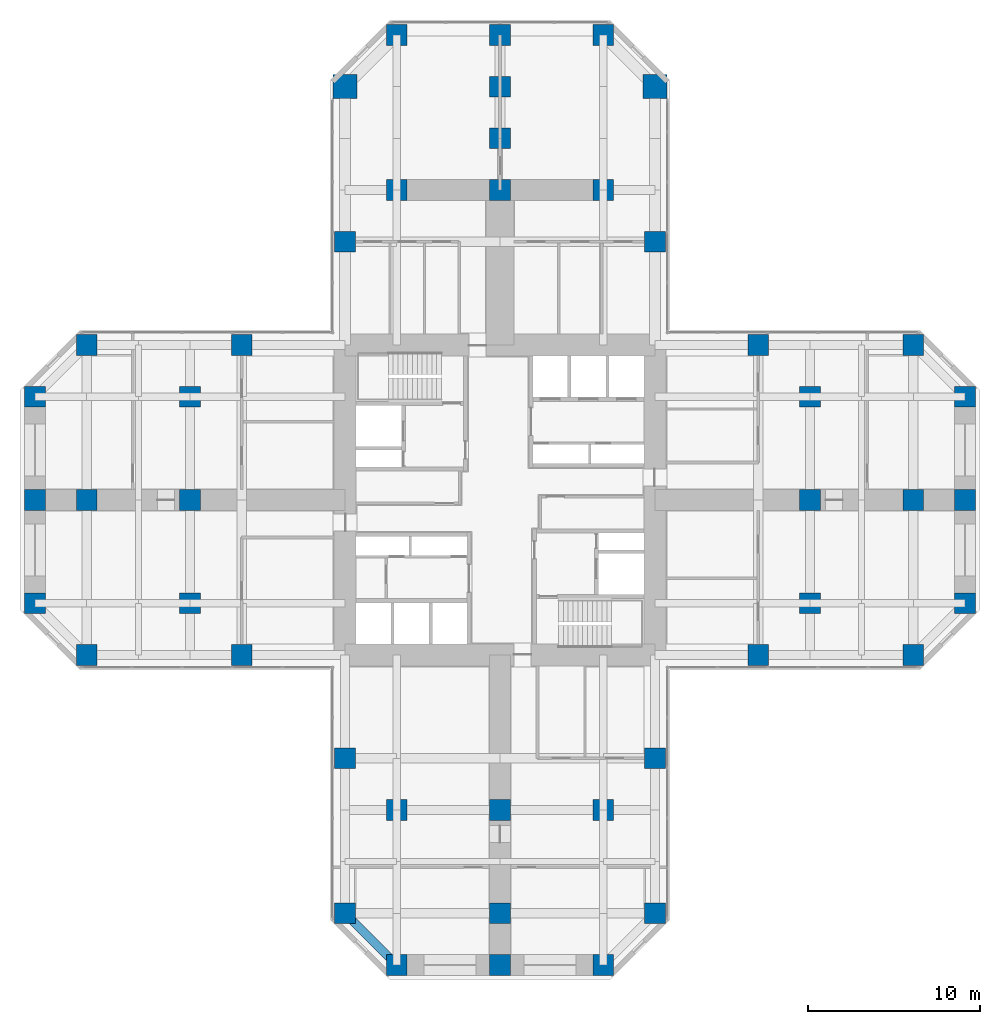
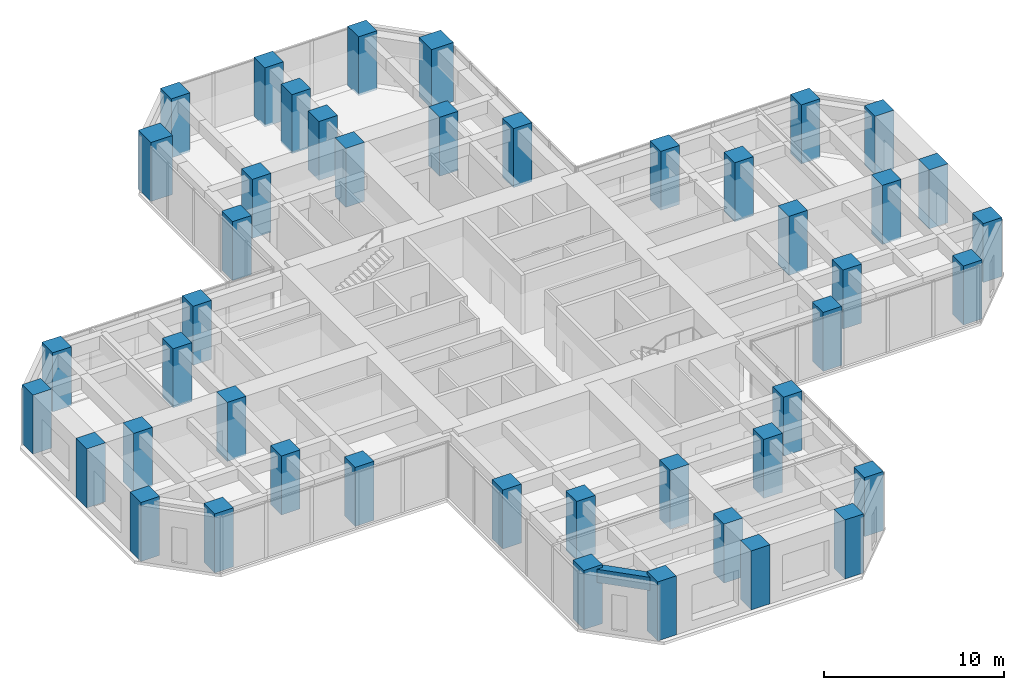
# One storey, part 1 of 12: 45 columns, 1 beam.
"""IFC4 building model written with IfcOpenShell, lengths in metres."""

from ifc_helpers import new_model, si_unit, direction, frame, origin, origin_2d, place, context, subcontext, project, spatial, rectangle, extrude, material, material_profile, profile_set, type_object, element, save


model = new_model("IFC4")

# Units and contexts
model_context = context("Model", 3, precision=1e-05, world=origin(), true_north=direction((0.0, 1.0)))
body_context = subcontext(model_context, "Body", "Model", "MODEL_VIEW")
ifc_project = project(units=[si_unit("LENGTHUNIT", "METRE"), si_unit("AREAUNIT", "SQUARE_METRE"), si_unit("VOLUMEUNIT", "CUBIC_METRE"), si_unit("PLANEANGLEUNIT", "RADIAN"), si_unit("MASSUNIT", "GRAM", prefix="KILO")], contexts=[model_context])

# Site, building, storey
site_placement = place(None, origin())
site = spatial("IfcSite", under=ifc_project, at=site_placement, CompositionType="ELEMENT")
building_placement = place(site_placement, origin())
building = spatial("IfcBuilding", under=site, at=building_placement, Name="Torre Cruceta", CompositionType="ELEMENT")
storey_placement = place(building_placement, frame((0.0, 0.0, 83.5)))
storey = spatial("IfcBuildingStorey", under=building, at=storey_placement, Name="L20", CompositionType="ELEMENT", Elevation=83.5)

# Columns
ifc_material_1 = material(Name="Concrete G60 (fck 60 MPa)", Category="concrete")
ifc_material_profile_1 = material_profile(ifc_material_1, rectangle(XDim=1.199951171875, YDim=1.199951171875, at=origin_2d()), Name="RC 1200X1200")
ifc_profile_set_1 = profile_set([ifc_material_profile_1], Name="Concrete G60 (fck 60 MPa)")
column_type_1 = type_object("IfcColumnType", Name="COLUMN RC 1200X1200", PredefinedType="COLUMN", material=ifc_profile_set_1)
for number, where, z_axis, x_axis, name in (
    (1, (9.0, 15.0, 0.0), (0.0, 0.0, 1.0), (1.0, 0.0, 0.0), "C3 L20 N side"),
    (2, (-9.0, 15.0, 0.0), (0.0, 0.0, 1.0), (1.0, 0.0, 0.0), "C3 L20 N side"),
    (3, (6.0, 27.0, 0.0), (0.0, 0.0, 1.0), (1.0, 0.0, 0.0), "C3 L20 N tip"),
    (4, (0.0, 27.0, 0.0), (0.0, 0.0, 1.0), (1.0, 0.0, 0.0), "C3 L20 N tip"),
    (5, (-6.0, 27.0, 0.0), (0.0, 0.0, 1.0), (1.0, 0.0, 0.0), "C3 L20 N tip"),
    (6, (15.0, -9.0, 0.0), (0.0, 0.0, 1.0), (1.0, 0.0, 0.0), "C3 L20 E side"),
    (7, (24.0, -9.0, 0.0), (0.0, 0.0, 1.0), (1.0, 0.0, 0.0), "C3 L20 E chamfer"),
    (8, (15.0, 9.0, 0.0), (0.0, 0.0, 1.0), (1.0, 0.0, 0.0), "C3 L20 E side"),
    (9, (24.0, 9.0, 0.0), (0.0, 0.0, 1.0), (1.0, 0.0, 0.0), "C3 L20 E chamfer"),
    (10, (27.0, -6.0, 0.0), (0.0, 0.0, 1.0), (1.0, 0.0, 0.0), "C3 L20 E tip"),
    (11, (27.0, 0.0, 0.0), (0.0, 0.0, 1.0), (1.0, 0.0, 0.0), "C3 L20 E tip"),
    (12, (27.0, 6.0, 0.0), (0.0, 0.0, 1.0), (1.0, 0.0, 0.0), "C3 L20 E tip"),
    (13, (-9.0, -15.0, 0.0), (0.0, 0.0, 1.0), (1.0, 0.0, 0.0), "C3 L20 S side"),
    (14, (-9.0, -24.0, 0.0), (0.0, 0.0, 1.0), (1.0, 0.0, 0.0), "C3 L20 S chamfer"),
    (15, (9.0, -15.0, 0.0), (0.0, 0.0, 1.0), (1.0, 0.0, 0.0), "C3 L20 S side"),
    (16, (9.0, -24.0, 0.0), (0.0, 0.0, 1.0), (1.0, 0.0, 0.0), "C3 L20 S chamfer"),
    (17, (-6.0, -27.0, 0.0), (0.0, 0.0, 1.0), (1.0, 0.0, 0.0), "C3 L20 S tip"),
    (18, (0.0, -27.0, 0.0), (0.0, 0.0, 1.0), (1.0, 0.0, 0.0), "C3 L20 S tip"),
    (19, (6.0, -27.0, 0.0), (0.0, 0.0, 1.0), (1.0, 0.0, 0.0), "C3 L20 S tip"),
    (20, (-15.0, 9.0, 0.0), (0.0, 0.0, 1.0), (1.0, 0.0, 0.0), "C3 L20 W side"),
    (21, (-24.0, 9.0, 0.0), (0.0, 0.0, 1.0), (1.0, 0.0, 0.0), "C3 L20 W chamfer"),
    (22, (-15.0, -9.0, 0.0), (0.0, 0.0, 1.0), (1.0, 0.0, 0.0), "C3 L20 W side"),
    (23, (-24.0, -9.0, 0.0), (0.0, 0.0, 1.0), (1.0, 0.0, 0.0), "C3 L20 W chamfer"),
    (24, (-27.0, 6.0, 0.0), (0.0, 0.0, 1.0), (1.0, 0.0, 0.0), "C3 L20 W tip"),
    (25, (-27.0, 0.0, 0.0), (0.0, 0.0, 1.0), (1.0, 0.0, 0.0), "C3 L20 W tip"),
    (26, (-27.0, -6.0, 0.0), (0.0, 0.0, 1.0), (1.0, 0.0, 0.0), "C3 L20 W tip"),
    (27, (6.0, 18.0, 0.0), (0.0, 0.0, 1.0), (1.0, 0.0, 0.0), "C3 L20 N interior"),
    (28, (0.0, 18.0, 0.0), (0.0, 0.0, 1.0), (1.0, 0.0, 0.0), "C3 L20 N interior"),
    (29, (-6.0, 18.0, 0.0), (0.0, 0.0, 1.0), (1.0, 0.0, 0.0), "C3 L20 N interior"),
    (30, (0.0, 21.0, 0.0), (0.0, 0.0, 1.0), (1.0, 0.0, 0.0), "C3 L20 N interior"),
    (31, (0.0, 24.0, 0.0), (0.0, 0.0, 1.0), (1.0, 0.0, 0.0), "C3 L20 N interior"),
    (32, (18.0, -6.0, 0.0), (0.0, 0.0, 1.0), (1.0, 0.0, 0.0), "C3 L20 E interior"),
    (33, (18.0, 0.0, 0.0), (0.0, 0.0, 1.0), (1.0, 0.0, 0.0), "C3 L20 E interior"),
    (34, (18.0, 6.0, 0.0), (0.0, 0.0, 1.0), (1.0, 0.0, 0.0), "C3 L20 E interior"),
    (35, (24.0, 0.0, 0.0), (0.0, 0.0, 1.0), (1.0, 0.0, 0.0), "C3 L20 E interior"),
    (36, (-6.0, -18.0, 0.0), (0.0, 0.0, 1.0), (1.0, 0.0, 0.0), "C3 L20 S interior"),
    (37, (0.0, -18.0, 0.0), (0.0, 0.0, 1.0), (1.0, 0.0, 0.0), "C3 L20 S interior"),
    (38, (6.0, -18.0, 0.0), (0.0, 0.0, 1.0), (1.0, 0.0, 0.0), "C3 L20 S interior"),
    (39, (0.0, -24.0, 0.0), (0.0, 0.0, 1.0), (1.0, 0.0, 0.0), "C3 L20 S interior"),
    (40, (-18.0, 6.0, 0.0), (0.0, 0.0, 1.0), (1.0, 0.0, 0.0), "C3 L20 W interior"),
    (41, (-18.0, 0.0, 0.0), (0.0, 0.0, 1.0), (1.0, 0.0, 0.0), "C3 L20 W interior"),
    (42, (-18.0, -6.0, 0.0), (0.0, 0.0, 1.0), (1.0, 0.0, 0.0), "C3 L20 W interior"),
    (43, (-24.0, 0.0, 0.0), (0.0, 0.0, 1.0), (1.0, 0.0, 0.0), "C3 L20 W interior"),
):
    element("IfcColumn", number, at=place(storey_placement, frame(where, z_axis=z_axis, x_axis=x_axis)), inside=storey, type_object=column_type_1, Name=name, PredefinedType="COLUMN", context=body_context, shape_type="SweptSolid", body=[
        extrude(rectangle(XDim=1.199951171875, YDim=1.199951171875, at=origin_2d()), origin(), (0.0, 0.0, 1.0), 4.0),
    ])
ifc_material_2 = material(Name="Concrete G60 (fck 60 MPa)", Category="concrete")
ifc_material_profile_2 = material_profile(ifc_material_2, rectangle(XDim=1.39990234375, YDim=1.39990234375, at=origin_2d()), Name="RC 1400X1400")
ifc_profile_set_2 = profile_set([ifc_material_profile_2], Name="Concrete G60 (fck 60 MPa)")
column_type_2 = type_object("IfcColumnType", Name="COLUMN RC 1400X1400", PredefinedType="COLUMN", material=ifc_profile_set_2)
for number, where, z_axis, x_axis, name in (
    (44, (9.0, 24.0, 0.0), (0.0, 0.0, 1.0), (1.0, 0.0, 0.0), "C1 L20 N chamfer"),
    (45, (-9.0, 24.0, 0.0), (0.0, 0.0, 1.0), (1.0, 0.0, 0.0), "C1 L20 N chamfer"),
):
    element("IfcColumn", number, at=place(storey_placement, frame(where, z_axis=z_axis, x_axis=x_axis)), inside=storey, type_object=column_type_2, Name=name, PredefinedType="COLUMN", context=body_context, shape_type="SweptSolid", body=[
        extrude(rectangle(XDim=1.39990234375, YDim=1.39990234375, at=origin_2d()), origin(), (0.0, 0.0, 1.0), 4.0),
    ])

# Beam
ifc_material_3 = material(Name="Concrete G60 (fck 60 MPa)", Category="concrete")
ifc_material_profile_3 = material_profile(ifc_material_3, rectangle(XDim=0.5, YDim=0.89990234375, at=origin_2d()), Name="RC 500X900")
ifc_profile_set_3 = profile_set([ifc_material_profile_3], Name="Concrete G60 (fck 60 MPa)")
beam_type = type_object("IfcBeamType", Name="SPANDREL BEAM RC 500X900", PredefinedType="SPANDREL", material=ifc_profile_set_3)
beam_placement = place(storey_placement, frame((-9.0, -24.0, 3.35009765625), z_axis=(0.707106781187, -0.707106781187, 0.0), x_axis=(0.707106781187, 0.707106781187, 0.0)))
element("IfcBeam", 46, at=beam_placement, inside=storey, type_object=beam_type, Name="SB4 L20 S side- 5", PredefinedType="SPANDREL", context=body_context, shape_type="SweptSolid", body=[
    extrude(rectangle(XDim=0.5, YDim=0.89990234375, at=origin_2d()), origin(), (0.0, 0.0, 1.0), 4.24267578125),
])

save(model, "model.ifc")
